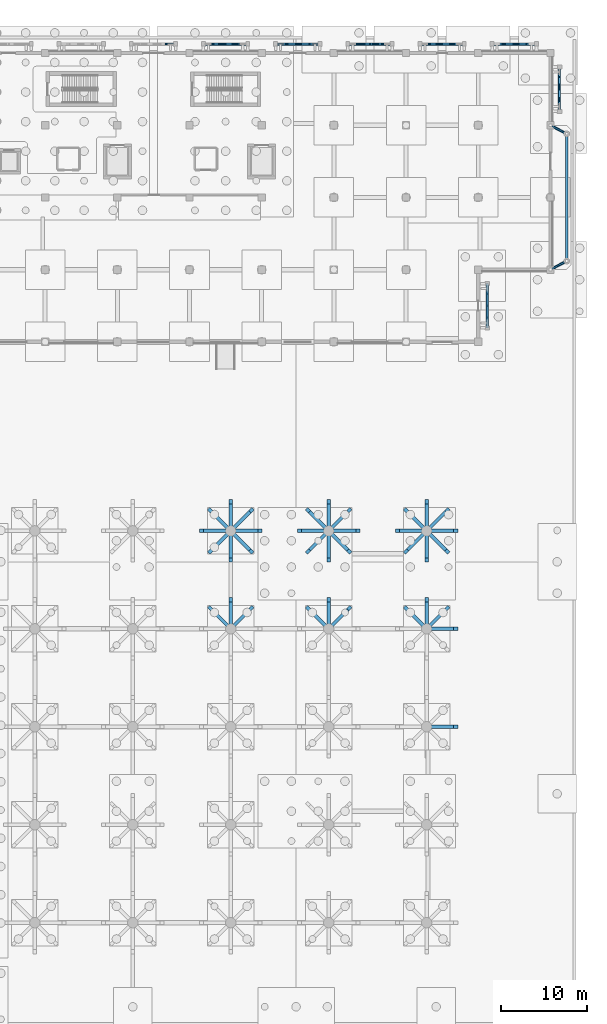
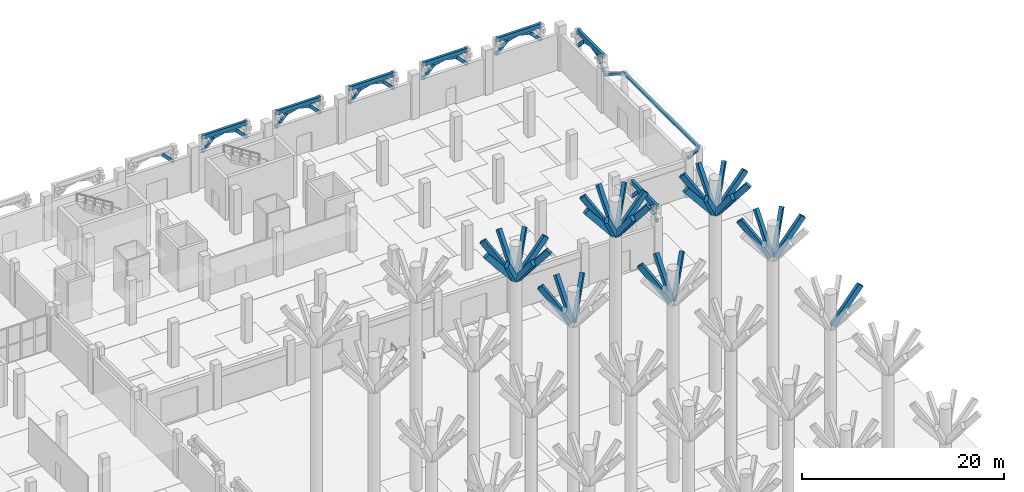
# One storey, part 46 of 98: 66 members, 10 beams.
"""IFC4 building model written with IfcOpenShell, lengths in metres."""

from ifc_helpers import new_model, si_unit, direction, frame, origin, origin_2d, place, context, subcontext, project, spatial, rectangle, hollow_rectangle, i_section, extrude, material, material_profile, profile_set, type_object, element, save


model = new_model("IFC4")

# Units and contexts
model_context = context("Model", 3, precision=1e-05, world=origin(), true_north=direction((0.0, 1.0)))
body_context = subcontext(model_context, "Body", "Model", "MODEL_VIEW")
ifc_project = project(units=[si_unit("LENGTHUNIT", "METRE"), si_unit("AREAUNIT", "SQUARE_METRE"), si_unit("VOLUMEUNIT", "CUBIC_METRE"), si_unit("PLANEANGLEUNIT", "RADIAN"), si_unit("MASSUNIT", "GRAM", prefix="KILO")], contexts=[model_context])

# Site, building, storey
site_placement = place(None, origin())
site = spatial("IfcSite", under=ifc_project, at=site_placement, CompositionType="ELEMENT")
building_placement = place(site_placement, origin())
building = spatial("IfcBuilding", under=site, at=building_placement, Name="Xazarin Passage Department Store", CompositionType="ELEMENT")
storey_placement = place(building_placement, origin())
storey = spatial("IfcBuildingStorey", under=building, at=storey_placement, Name="L00", CompositionType="ELEMENT", Elevation=0.0)

# Beams
ifc_material_1 = material(Name="Steel S355", Category="steel")
ifc_material_profile_1 = material_profile(ifc_material_1, i_section(OverallWidth=0.300048828125, OverallDepth=0.31005859375, WebThickness=0.009033203125, FlangeThickness=0.015380859375, FilletRadius=0.027099609375, at=origin_2d()), Name="HEA 320")
ifc_profile_set_1 = profile_set([ifc_material_profile_1], Name="Steel S355")
beam_type_1 = type_object("IfcBeamType", Name="STR-BM-CAN320", PredefinedType="BEAM", material=ifc_profile_set_1)
for number, where, z_axis, x_axis, name in (
    (1, (169.60009765625, 84.800048828125, 4.39501953125), (0.884908355615, 0.465765179208, 0.0), (-0.465765179208, 0.884908355615, 0.0), "Entrance Canopy Frame Beam CN3-1"),
    (2, (169.60009765625, 101.60009765625, 4.39501953125), (0.884908355615, -0.465765179208, 0.0), (0.465765179208, 0.884908355615, 0.0), "Entrance Canopy Frame Beam CN3-2"),
):
    element("IfcBeam", number, at=place(storey_placement, frame(where, z_axis=z_axis, x_axis=x_axis)), inside=storey, type_object=beam_type_1, Name=name, PredefinedType="BEAM", context=body_context, shape_type="SweptSolid", body=[
        extrude(i_section(OverallWidth=0.300048828125, OverallDepth=0.31005859375, WebThickness=0.009033203125, FlangeThickness=0.015380859375, FilletRadius=0.027099609375, at=origin_2d()), origin(), (0.0, 0.0, 1.0), 2.14697265625),
    ])
beam_1_placement = place(storey_placement, frame((171.5, 85.800048828125, 4.39501953125), z_axis=(0.0, 1.0, 0.0), x_axis=(-1.0, 0.0, 0.0)))
element("IfcBeam", 3, at=beam_1_placement, inside=storey, type_object=beam_type_1, Name="Entrance Canopy Frame Beam CN3-3", PredefinedType="BEAM", context=body_context, shape_type="SweptSolid", body=[
    extrude(i_section(OverallWidth=0.300048828125, OverallDepth=0.31005859375, WebThickness=0.009033203125, FlangeThickness=0.015380859375, FilletRadius=0.027099609375, at=origin_2d()), origin(), (0.0, 0.0, 1.0), 14.800048828125),
])
ifc_material_2 = material(Name="Concrete C35/45", Category="concrete")
ifc_material_profile_2 = material_profile(ifc_material_2, rectangle(XDim=0.300048828125, YDim=0.5, at=origin_2d()), Name="RC 300x500")
ifc_profile_set_2 = profile_set([ifc_material_profile_2], Name="Concrete C35/45")
beam_type_2 = type_object("IfcBeamType", Name="STR-BM-LN300x500", PredefinedType="LINTEL", material=ifc_profile_set_2)
for number, where, z_axis, x_axis, name in (
    (4, (129.219970703125, 111.050048828125, 5.14990234375), (1.0, 0.0, 0.0), (0.0, 1.0, 0.0), "L00 V4 Colonnade Spandrel Beam 043"),
    (5, (137.6201171875, 111.050048828125, 5.14990234375), (1.0, 0.0, 0.0), (0.0, 1.0, 0.0), "L00 V4 Colonnade Spandrel Beam 044"),
    (6, (146.02001953125, 111.050048828125, 5.14990234375), (1.0, 0.0, 0.0), (0.0, 1.0, 0.0), "L00 V4 Colonnade Spandrel Beam 045"),
):
    element("IfcBeam", number, at=place(storey_placement, frame(where, z_axis=z_axis, x_axis=x_axis)), inside=storey, type_object=beam_type_2, Name=name, PredefinedType="LINTEL", context=body_context, shape_type="SweptSolid", body=[
        extrude(rectangle(XDim=0.300048828125, YDim=0.5, at=origin_2d()), origin(), (0.0, 0.0, 1.0), 5.159912109375),
    ])
beam_2_placement = place(storey_placement, frame((154.419921875, 111.050048828125, 5.14990234375), z_axis=(1.0, 0.0, 0.0), x_axis=(0.0, 1.0, 0.0)))
element("IfcBeam", 7, at=beam_2_placement, inside=storey, type_object=beam_type_2, Name="L00 V4 Colonnade Spandrel Beam 046", PredefinedType="LINTEL", context=body_context, shape_type="SweptSolid", body=[
    extrude(rectangle(XDim=0.300048828125, YDim=0.5, at=origin_2d()), origin(), (0.0, 0.0, 1.0), 5.16015625),
])
for number, where, z_axis, x_axis, name in (
    (8, (162.820068359375, 111.050048828125, 5.14990234375), (1.0, 0.0, 0.0), (0.0, 1.0, 0.0), "L00 V4 Colonnade Spandrel Beam 047"),
    (9, (162.25, 78.02001953125, 5.14990234375), (0.0, 1.0, 0.0), (-1.0, 0.0, 0.0), "L00 V4 Colonnade Spandrel Beam 048"),
    (10, (170.64990234375, 103.219970703125, 5.14990234375), (0.0, 1.0, 0.0), (-1.0, 0.0, 0.0), "L00 V4 Colonnade Spandrel Beam 049"),
):
    element("IfcBeam", number, at=place(storey_placement, frame(where, z_axis=z_axis, x_axis=x_axis)), inside=storey, type_object=beam_type_2, Name=name, PredefinedType="LINTEL", context=body_context, shape_type="SweptSolid", body=[
        extrude(rectangle(XDim=0.300048828125, YDim=0.5, at=origin_2d()), origin(), (0.0, 0.0, 1.0), 5.159912109375),
    ])

# Members
ifc_material_3 = material(Name="Concrete C40/50", Category="concrete")
ifc_material_profile_3 = material_profile(ifc_material_3, rectangle(XDim=0.199951171875, YDim=0.360107421875, at=origin_2d()), Name="RC 200x360")
ifc_profile_set_3 = profile_set([ifc_material_profile_3], Name="Concrete C40/50")
member_type_1 = type_object("IfcMemberType", Name="STR-MEM-ARC360", PredefinedType="CHORD", material=ifc_profile_set_3)
for number, where, z_axis, x_axis, name in (
    (11, (124.68994140625, 111.050048828125, 4.67041015625), (0.693460080602, 0.0, -0.720495049679), (0.0, 1.0, 0.0), "L00 V4 Pierced Lattice Curved Arch 042.4"),
    (12, (129.219970703125, 111.050048828125, 3.330078125), (0.693460080602, 0.0, 0.720495049679), (0.0, 1.0, 0.0), "L00 V4 Pierced Lattice Curved Arch 043.1"),
):
    element("IfcMember", number, at=place(storey_placement, frame(where, z_axis=z_axis, x_axis=x_axis)), inside=storey, type_object=member_type_1, Name=name, PredefinedType="CHORD", context=body_context, shape_type="SweptSolid", body=[
        extrude(rectangle(XDim=0.199951171875, YDim=0.360107421875, at=origin_2d()), origin(), (0.0, 0.0, 1.0), 1.8603515625),
    ])
for number, where, z_axis, x_axis, name in (
    (13, (130.510009765625, 111.050048828125, 4.67041015625), (0.972393983317, 0.0, 0.233345111818), (0.0, 1.0, 0.0), "L00 V4 Pierced Lattice Curved Arch 043.2"),
    (14, (131.800048828125, 111.050048828125, 4.97998046875), (0.972393983317, 0.0, -0.233345111818), (0.0, 1.0, 0.0), "L00 V4 Pierced Lattice Curved Arch 043.3"),
):
    element("IfcMember", number, at=place(storey_placement, frame(where, z_axis=z_axis, x_axis=x_axis)), inside=storey, type_object=member_type_1, Name=name, PredefinedType="CHORD", context=body_context, shape_type="SweptSolid", body=[
        extrude(rectangle(XDim=0.199951171875, YDim=0.360107421875, at=origin_2d()), origin(), (0.0, 0.0, 1.0), 1.32666015625),
    ])
for number, where, z_axis, x_axis, name in (
    (15, (133.090087890625, 111.050048828125, 4.67041015625), (0.693391944082, 0.0, -0.720560623322), (0.0, 1.0, 0.0), "L00 V4 Pierced Lattice Curved Arch 043.4"),
    (16, (137.6201171875, 111.050048828125, 3.330078125), (0.693391944082, 0.0, 0.720560623322), (0.0, 1.0, 0.0), "L00 V4 Pierced Lattice Curved Arch 044.1"),
):
    element("IfcMember", number, at=place(storey_placement, frame(where, z_axis=z_axis, x_axis=x_axis)), inside=storey, type_object=member_type_1, Name=name, PredefinedType="CHORD", context=body_context, shape_type="SweptSolid", body=[
        extrude(rectangle(XDim=0.199951171875, YDim=0.360107421875, at=origin_2d()), origin(), (0.0, 0.0, 1.0), 1.860107421875),
    ])
for number, where, z_axis, x_axis, name in (
    (17, (138.909912109375, 111.050048828125, 4.67041015625), (0.972393983317, 0.0, 0.233345111818), (0.0, 1.0, 0.0), "L00 V4 Pierced Lattice Curved Arch 044.2"),
    (18, (140.199951171875, 111.050048828125, 4.97998046875), (0.972393983317, 0.0, -0.233345111818), (0.0, 1.0, 0.0), "L00 V4 Pierced Lattice Curved Arch 044.3"),
):
    element("IfcMember", number, at=place(storey_placement, frame(where, z_axis=z_axis, x_axis=x_axis)), inside=storey, type_object=member_type_1, Name=name, PredefinedType="CHORD", context=body_context, shape_type="SweptSolid", body=[
        extrude(rectangle(XDim=0.199951171875, YDim=0.360107421875, at=origin_2d()), origin(), (0.0, 0.0, 1.0), 1.32666015625),
    ])
for number, where, z_axis, x_axis, name in (
    (19, (141.489990234375, 111.050048828125, 4.67041015625), (0.693460080602, 0.0, -0.720495049679), (0.0, 1.0, 0.0), "L00 V4 Pierced Lattice Curved Arch 044.4"),
    (20, (146.02001953125, 111.050048828125, 3.330078125), (0.693460080602, 0.0, 0.720495049679), (0.0, 1.0, 0.0), "L00 V4 Pierced Lattice Curved Arch 045.1"),
):
    element("IfcMember", number, at=place(storey_placement, frame(where, z_axis=z_axis, x_axis=x_axis)), inside=storey, type_object=member_type_1, Name=name, PredefinedType="CHORD", context=body_context, shape_type="SweptSolid", body=[
        extrude(rectangle(XDim=0.199951171875, YDim=0.360107421875, at=origin_2d()), origin(), (0.0, 0.0, 1.0), 1.8603515625),
    ])
member_1_placement = place(storey_placement, frame((147.31005859375, 111.050048828125, 4.67041015625), z_axis=(0.972393983317, 0.0, 0.233345111818), x_axis=(0.0, 1.0, 0.0)))
element("IfcMember", 21, at=member_1_placement, inside=storey, type_object=member_type_1, Name="L00 V4 Pierced Lattice Curved Arch 045.2", PredefinedType="CHORD", context=body_context, shape_type="SweptSolid", body=[
    extrude(rectangle(XDim=0.199951171875, YDim=0.360107421875, at=origin_2d()), origin(), (0.0, 0.0, 1.0), 1.32666015625),
])
member_2_placement = place(storey_placement, frame((148.60009765625, 111.050048828125, 4.97998046875), z_axis=(0.972383960415, 0.0, -0.233386875224), x_axis=(0.0, 1.0, 0.0)))
element("IfcMember", 22, at=member_2_placement, inside=storey, type_object=member_type_1, Name="L00 V4 Pierced Lattice Curved Arch 045.3", PredefinedType="CHORD", context=body_context, shape_type="SweptSolid", body=[
    extrude(rectangle(XDim=0.199951171875, YDim=0.360107421875, at=origin_2d()), origin(), (0.0, 0.0, 1.0), 1.326416015625),
])
for number, where, z_axis, x_axis, name in (
    (23, (149.889892578125, 111.050048828125, 4.67041015625), (0.693460080602, 0.0, -0.720495049679), (0.0, 1.0, 0.0), "L00 V4 Pierced Lattice Curved Arch 045.4"),
    (24, (154.419921875, 111.050048828125, 3.330078125), (0.693460080602, 0.0, 0.720495049679), (0.0, 1.0, 0.0), "L00 V4 Pierced Lattice Curved Arch 046.1"),
):
    element("IfcMember", number, at=place(storey_placement, frame(where, z_axis=z_axis, x_axis=x_axis)), inside=storey, type_object=member_type_1, Name=name, PredefinedType="CHORD", context=body_context, shape_type="SweptSolid", body=[
        extrude(rectangle(XDim=0.199951171875, YDim=0.360107421875, at=origin_2d()), origin(), (0.0, 0.0, 1.0), 1.8603515625),
    ])
for number, where, z_axis, x_axis, name in (
    (25, (155.7099609375, 111.050048828125, 4.67041015625), (0.972393983317, 0.0, 0.233345111818), (0.0, 1.0, 0.0), "L00 V4 Pierced Lattice Curved Arch 046.2"),
    (26, (157.0, 111.050048828125, 4.97998046875), (0.972393983317, 0.0, -0.233345111818), (0.0, 1.0, 0.0), "L00 V4 Pierced Lattice Curved Arch 046.3"),
):
    element("IfcMember", number, at=place(storey_placement, frame(where, z_axis=z_axis, x_axis=x_axis)), inside=storey, type_object=member_type_1, Name=name, PredefinedType="CHORD", context=body_context, shape_type="SweptSolid", body=[
        extrude(rectangle(XDim=0.199951171875, YDim=0.360107421875, at=origin_2d()), origin(), (0.0, 0.0, 1.0), 1.32666015625),
    ])
for number, where, z_axis, x_axis, name in (
    (27, (158.2900390625, 111.050048828125, 4.67041015625), (0.693460080602, 0.0, -0.720495049679), (0.0, 1.0, 0.0), "L00 V4 Pierced Lattice Curved Arch 046.4"),
    (28, (162.820068359375, 111.050048828125, 3.330078125), (0.693460080602, 0.0, 0.720495049679), (0.0, 1.0, 0.0), "L00 V4 Pierced Lattice Curved Arch 047.1"),
):
    element("IfcMember", number, at=place(storey_placement, frame(where, z_axis=z_axis, x_axis=x_axis)), inside=storey, type_object=member_type_1, Name=name, PredefinedType="CHORD", context=body_context, shape_type="SweptSolid", body=[
        extrude(rectangle(XDim=0.199951171875, YDim=0.360107421875, at=origin_2d()), origin(), (0.0, 0.0, 1.0), 1.8603515625),
    ])
member_3_placement = place(storey_placement, frame((164.110107421875, 111.050048828125, 4.67041015625), z_axis=(0.972383960415, 0.0, 0.233386875224), x_axis=(0.0, 1.0, 0.0)))
element("IfcMember", 29, at=member_3_placement, inside=storey, type_object=member_type_1, Name="L00 V4 Pierced Lattice Curved Arch 047.2", PredefinedType="CHORD", context=body_context, shape_type="SweptSolid", body=[
    extrude(rectangle(XDim=0.199951171875, YDim=0.360107421875, at=origin_2d()), origin(), (0.0, 0.0, 1.0), 1.326416015625),
])
member_4_placement = place(storey_placement, frame((165.39990234375, 111.050048828125, 4.97998046875), z_axis=(0.972393983317, 0.0, -0.233345111818), x_axis=(0.0, 1.0, 0.0)))
element("IfcMember", 30, at=member_4_placement, inside=storey, type_object=member_type_1, Name="L00 V4 Pierced Lattice Curved Arch 047.3", PredefinedType="CHORD", context=body_context, shape_type="SweptSolid", body=[
    extrude(rectangle(XDim=0.199951171875, YDim=0.360107421875, at=origin_2d()), origin(), (0.0, 0.0, 1.0), 1.32666015625),
])
for number, where, z_axis, x_axis, name in (
    (31, (166.68994140625, 111.050048828125, 4.67041015625), (0.693460080602, 0.0, -0.720495049679), (0.0, 1.0, 0.0), "L00 V4 Pierced Lattice Curved Arch 047.4"),
    (32, (162.25, 78.02001953125, 3.330078125), (0.0, 0.693460080602, 0.720495049679), (-1.0, 0.0, 0.0), "L00 V4 Pierced Lattice Curved Arch 048.1"),
):
    element("IfcMember", number, at=place(storey_placement, frame(where, z_axis=z_axis, x_axis=x_axis)), inside=storey, type_object=member_type_1, Name=name, PredefinedType="CHORD", context=body_context, shape_type="SweptSolid", body=[
        extrude(rectangle(XDim=0.199951171875, YDim=0.360107421875, at=origin_2d()), origin(), (0.0, 0.0, 1.0), 1.8603515625),
    ])
member_5_placement = place(storey_placement, frame((162.25, 79.31005859375, 4.67041015625), z_axis=(0.0, 0.972393983317, 0.233345111818), x_axis=(-1.0, 0.0, 0.0)))
element("IfcMember", 33, at=member_5_placement, inside=storey, type_object=member_type_1, Name="L00 V4 Pierced Lattice Curved Arch 048.2", PredefinedType="CHORD", context=body_context, shape_type="SweptSolid", body=[
    extrude(rectangle(XDim=0.199951171875, YDim=0.360107421875, at=origin_2d()), origin(), (0.0, 0.0, 1.0), 1.32666015625),
])
member_6_placement = place(storey_placement, frame((162.25, 80.60009765625, 4.97998046875), z_axis=(0.0, 0.972383960415, -0.233386875224), x_axis=(-1.0, 0.0, 0.0)))
element("IfcMember", 34, at=member_6_placement, inside=storey, type_object=member_type_1, Name="L00 V4 Pierced Lattice Curved Arch 048.3", PredefinedType="CHORD", context=body_context, shape_type="SweptSolid", body=[
    extrude(rectangle(XDim=0.199951171875, YDim=0.360107421875, at=origin_2d()), origin(), (0.0, 0.0, 1.0), 1.326416015625),
])
for number, where, z_axis, x_axis, name in (
    (35, (162.25, 81.889892578125, 4.67041015625), (0.0, 0.693460080602, -0.720495049679), (-1.0, 0.0, 0.0), "L00 V4 Pierced Lattice Curved Arch 048.4"),
    (36, (170.64990234375, 103.219970703125, 3.330078125), (0.0, 0.693460080602, 0.720495049679), (-1.0, 0.0, 0.0), "L00 V4 Pierced Lattice Curved Arch 049.1"),
):
    element("IfcMember", number, at=place(storey_placement, frame(where, z_axis=z_axis, x_axis=x_axis)), inside=storey, type_object=member_type_1, Name=name, PredefinedType="CHORD", context=body_context, shape_type="SweptSolid", body=[
        extrude(rectangle(XDim=0.199951171875, YDim=0.360107421875, at=origin_2d()), origin(), (0.0, 0.0, 1.0), 1.8603515625),
    ])
for number, where, z_axis, x_axis, name in (
    (37, (170.64990234375, 104.510009765625, 4.67041015625), (0.0, 0.972393983317, 0.233345111818), (-1.0, 0.0, 0.0), "L00 V4 Pierced Lattice Curved Arch 049.2"),
    (38, (170.64990234375, 105.800048828125, 4.97998046875), (0.0, 0.972393983317, -0.233345111818), (-1.0, 0.0, 0.0), "L00 V4 Pierced Lattice Curved Arch 049.3"),
):
    element("IfcMember", number, at=place(storey_placement, frame(where, z_axis=z_axis, x_axis=x_axis)), inside=storey, type_object=member_type_1, Name=name, PredefinedType="CHORD", context=body_context, shape_type="SweptSolid", body=[
        extrude(rectangle(XDim=0.199951171875, YDim=0.360107421875, at=origin_2d()), origin(), (0.0, 0.0, 1.0), 1.32666015625),
    ])
member_7_placement = place(storey_placement, frame((170.64990234375, 107.090087890625, 4.67041015625), z_axis=(0.0, 0.693391944082, -0.720560623322), x_axis=(-1.0, 0.0, 0.0)))
element("IfcMember", 39, at=member_7_placement, inside=storey, type_object=member_type_1, Name="L00 V4 Pierced Lattice Curved Arch 049.4", PredefinedType="CHORD", context=body_context, shape_type="SweptSolid", body=[
    extrude(rectangle(XDim=0.199951171875, YDim=0.360107421875, at=origin_2d()), origin(), (0.0, 0.0, 1.0), 1.860107421875),
])
ifc_material_profile_4 = material_profile(ifc_material_1, hollow_rectangle(XDim=0.14990234375, YDim=0.25, WallThickness=0.010009765625, at=origin_2d()), Name="RHS 250x150x10")
ifc_profile_set_4 = profile_set([ifc_material_profile_4], Name="Steel S355")
member_type_2 = type_object("IfcMemberType", Name="STR-MEM-CH250", PredefinedType="CHORD", material=ifc_profile_set_4)
for number, where, z_axis, x_axis, name in (
    (40, (169.60009765625, 84.800048828125, 4.389892578125), (0.884908355615, 0.465765179208, 0.0), (-0.465765179208, 0.884908355615, 0.0), "Entrance Canopy Outrigger Chord CN3-1"),
    (41, (169.60009765625, 101.60009765625, 4.389892578125), (0.884908355615, -0.465765179208, 0.0), (0.465765179208, 0.884908355615, 0.0), "Entrance Canopy Outrigger Chord CN3-2"),
):
    element("IfcMember", number, at=place(storey_placement, frame(where, z_axis=z_axis, x_axis=x_axis)), inside=storey, type_object=member_type_2, Name=name, PredefinedType="CHORD", context=body_context, shape_type="SweptSolid", body=[
        extrude(hollow_rectangle(XDim=0.14990234375, YDim=0.25, WallThickness=0.010009765625, at=origin_2d()), origin(), (0.0, 0.0, 1.0), 2.14697265625),
    ])
ifc_material_profile_5 = material_profile(ifc_material_3, rectangle(XDim=0.39990234375, YDim=0.64990234375, at=origin_2d()), Name="RC 400x650")
ifc_profile_set_5 = profile_set([ifc_material_profile_5], Name="Concrete C40/50")
member_type_3 = type_object("IfcMemberType", Name="STR-MEM-UMB400", PredefinedType="BRACE", material=ifc_profile_set_5)
member_8_placement = place(storey_placement, frame((155.419921875, 31.60009765625, 21.3798828125), z_axis=(0.63439870386, 0.0, 0.773006005501), x_axis=(0.0, 1.0, 0.0)))
element("IfcMember", 42, at=member_8_placement, inside=storey, type_object=member_type_3, Name="Umbrella UM19 Flared Sculptural Capital Strut E", PredefinedType="BRACE", context=body_context, shape_type="SweptSolid", body=[
    extrude(rectangle(XDim=0.39990234375, YDim=0.64990234375, at=origin_2d()), origin(), (0.0, 0.0, 1.0), 5.012939453125),
])
member_9_placement = place(storey_placement, frame((132.39990234375, 43.219970703125, 22.780029296875), z_axis=(0.0, 0.634369600905, 0.773029889103), x_axis=(-1.0, 0.0, 0.0)))
element("IfcMember", 43, at=member_9_placement, inside=storey, type_object=member_type_3, Name="Umbrella UM22 Flared Sculptural Capital Strut N", PredefinedType="BRACE", context=body_context, shape_type="SweptSolid", body=[
    extrude(rectangle(XDim=0.39990234375, YDim=0.64990234375, at=origin_2d()), origin(), (0.0, 0.0, 1.0), 5.0126953125),
])
for number, where, z_axis, x_axis, name in (
    (44, (132.5556640625, 43.155517578125, 22.780029296875), (0.448555330777, 0.448604033853, 0.77301522368), (-0.707145166051, 0.707068394238, 0.0), "Umbrella UM22 Flared Sculptural Capital Strut NE"),
    (45, (132.244384765625, 43.155517578125, 22.780029296875), (-0.448555330777, 0.448604033853, 0.77301522368), (-0.707145166051, -0.707068394238, 0.0), "Umbrella UM22 Flared Sculptural Capital Strut NW"),
):
    element("IfcMember", number, at=place(storey_placement, frame(where, z_axis=z_axis, x_axis=x_axis)), inside=storey, type_object=member_type_3, Name=name, PredefinedType="BRACE", context=body_context, shape_type="SweptSolid", body=[
        extrude(rectangle(XDim=0.39990234375, YDim=0.64990234375, at=origin_2d()), origin(), (0.0, 0.0, 1.0), 5.012939453125),
    ])
member_10_placement = place(storey_placement, frame((143.800048828125, 43.219970703125, 21.3798828125), z_axis=(0.0, 0.634369600905, 0.773029889103), x_axis=(-1.0, 0.0, 0.0)))
element("IfcMember", 46, at=member_10_placement, inside=storey, type_object=member_type_3, Name="Umbrella UM23 Flared Sculptural Capital Strut N", PredefinedType="BRACE", context=body_context, shape_type="SweptSolid", body=[
    extrude(rectangle(XDim=0.39990234375, YDim=0.64990234375, at=origin_2d()), origin(), (0.0, 0.0, 1.0), 5.0126953125),
])
for number, where, z_axis, x_axis, name in (
    (47, (143.95556640625, 43.155517578125, 21.3798828125), (0.448555330777, 0.448604033853, 0.77301522368), (-0.707145166051, 0.707068394238, 0.0), "Umbrella UM23 Flared Sculptural Capital Strut NE"),
    (48, (143.644287109375, 43.155517578125, 21.3798828125), (-0.448555330777, 0.448604033853, 0.77301522368), (-0.707145166051, -0.707068394238, 0.0), "Umbrella UM23 Flared Sculptural Capital Strut NW"),
    (49, (155.419921875, 43.0, 22.780029296875), (0.63439870386, 0.0, 0.773006005501), (0.0, 1.0, 0.0), "Umbrella UM24 Flared Sculptural Capital Strut E"),
):
    element("IfcMember", number, at=place(storey_placement, frame(where, z_axis=z_axis, x_axis=x_axis)), inside=storey, type_object=member_type_3, Name=name, PredefinedType="BRACE", context=body_context, shape_type="SweptSolid", body=[
        extrude(rectangle(XDim=0.39990234375, YDim=0.64990234375, at=origin_2d()), origin(), (0.0, 0.0, 1.0), 5.012939453125),
    ])
member_11_placement = place(storey_placement, frame((155.199951171875, 43.219970703125, 22.780029296875), z_axis=(0.0, 0.634369600905, 0.773029889103), x_axis=(-1.0, 0.0, 0.0)))
element("IfcMember", 50, at=member_11_placement, inside=storey, type_object=member_type_3, Name="Umbrella UM24 Flared Sculptural Capital Strut N", PredefinedType="BRACE", context=body_context, shape_type="SweptSolid", body=[
    extrude(rectangle(XDim=0.39990234375, YDim=0.64990234375, at=origin_2d()), origin(), (0.0, 0.0, 1.0), 5.0126953125),
])
for number, where, z_axis, x_axis, name in (
    (51, (155.355712890625, 43.155517578125, 22.780029296875), (0.448555330777, 0.448604033853, 0.77301522368), (-0.707145166051, 0.707068394238, 0.0), "Umbrella UM24 Flared Sculptural Capital Strut NE"),
    (52, (155.04443359375, 43.155517578125, 22.780029296875), (-0.448555330777, 0.448604033853, 0.77301522368), (-0.707145166051, -0.707068394238, 0.0), "Umbrella UM24 Flared Sculptural Capital Strut NW"),
):
    element("IfcMember", number, at=place(storey_placement, frame(where, z_axis=z_axis, x_axis=x_axis)), inside=storey, type_object=member_type_3, Name=name, PredefinedType="BRACE", context=body_context, shape_type="SweptSolid", body=[
        extrude(rectangle(XDim=0.39990234375, YDim=0.64990234375, at=origin_2d()), origin(), (0.0, 0.0, 1.0), 5.012939453125),
    ])
for number, where, z_axis, x_axis, name in (
    (53, (132.6201171875, 54.39990234375, 21.3798828125), (0.634369600905, 0.0, 0.773029889103), (0.0, 1.0, 0.0), "Umbrella UM27 Flared Sculptural Capital Strut E"),
    (54, (132.179931640625, 54.39990234375, 21.3798828125), (-0.634369600905, 0.0, 0.773029889103), (0.0, -1.0, 0.0), "Umbrella UM27 Flared Sculptural Capital Strut W"),
    (55, (132.39990234375, 54.6201171875, 21.3798828125), (0.0, 0.634369600905, 0.773029889103), (-1.0, 0.0, 0.0), "Umbrella UM27 Flared Sculptural Capital Strut N"),
    (56, (132.39990234375, 54.179931640625, 21.3798828125), (0.0, -0.634369600905, 0.773029889103), (1.0, 0.0, 0.0), "Umbrella UM27 Flared Sculptural Capital Strut S"),
    (57, (132.5556640625, 54.5556640625, 21.3798828125), (0.448565130781, 0.448565130781, 0.77303211246), (-0.707106781187, 0.707106781187, 0.0), "Umbrella UM27 Flared Sculptural Capital Strut NE"),
    (58, (132.244384765625, 54.5556640625, 21.3798828125), (-0.448565130781, 0.448565130781, 0.77303211246), (-0.707106781187, -0.707106781187, 0.0), "Umbrella UM27 Flared Sculptural Capital Strut NW"),
    (59, (132.5556640625, 54.244384765625, 21.3798828125), (0.448565130781, -0.448565130781, 0.77303211246), (0.707106781187, 0.707106781187, 0.0), "Umbrella UM27 Flared Sculptural Capital Strut SE"),
    (60, (132.244384765625, 54.244384765625, 21.3798828125), (-0.448565130781, -0.448565130781, 0.77303211246), (0.707106781187, -0.707106781187, 0.0), "Umbrella UM27 Flared Sculptural Capital Strut SW"),
    (61, (144.02001953125, 54.39990234375, 22.780029296875), (0.634369600905, 0.0, 0.773029889103), (0.0, 1.0, 0.0), "Umbrella UM28 Flared Sculptural Capital Strut E"),
):
    element("IfcMember", number, at=place(storey_placement, frame(where, z_axis=z_axis, x_axis=x_axis)), inside=storey, type_object=member_type_3, Name=name, PredefinedType="BRACE", context=body_context, shape_type="SweptSolid", body=[
        extrude(rectangle(XDim=0.39990234375, YDim=0.64990234375, at=origin_2d()), origin(), (0.0, 0.0, 1.0), 5.0126953125),
    ])
member_12_placement = place(storey_placement, frame((143.580078125, 54.39990234375, 22.780029296875), z_axis=(-0.63439870386, 0.0, 0.773006005501), x_axis=(0.0, -1.0, 0.0)))
element("IfcMember", 62, at=member_12_placement, inside=storey, type_object=member_type_3, Name="Umbrella UM28 Flared Sculptural Capital Strut W", PredefinedType="BRACE", context=body_context, shape_type="SweptSolid", body=[
    extrude(rectangle(XDim=0.39990234375, YDim=0.64990234375, at=origin_2d()), origin(), (0.0, 0.0, 1.0), 5.012939453125),
])
for number, where, z_axis, x_axis, name in (
    (63, (143.800048828125, 54.6201171875, 22.780029296875), (0.0, 0.634369600905, 0.773029889103), (-1.0, 0.0, 0.0), "Umbrella UM28 Flared Sculptural Capital Strut N"),
    (64, (143.800048828125, 54.179931640625, 22.780029296875), (0.0, -0.634369600905, 0.773029889103), (1.0, 0.0, 0.0), "Umbrella UM28 Flared Sculptural Capital Strut S"),
    (65, (143.95556640625, 54.5556640625, 22.780029296875), (0.448565130781, 0.448565130781, 0.77303211246), (-0.707106781187, 0.707106781187, 0.0), "Umbrella UM28 Flared Sculptural Capital Strut NE"),
    (66, (143.644287109375, 54.5556640625, 22.780029296875), (-0.448565130781, 0.448565130781, 0.77303211246), (-0.707106781187, -0.707106781187, 0.0), "Umbrella UM28 Flared Sculptural Capital Strut NW"),
    (67, (143.95556640625, 54.244384765625, 22.780029296875), (0.448565130781, -0.448565130781, 0.77303211246), (0.707106781187, 0.707106781187, 0.0), "Umbrella UM28 Flared Sculptural Capital Strut SE"),
    (68, (143.644287109375, 54.244384765625, 22.780029296875), (-0.448565130781, -0.448565130781, 0.77303211246), (0.707106781187, -0.707106781187, 0.0), "Umbrella UM28 Flared Sculptural Capital Strut SW"),
):
    element("IfcMember", number, at=place(storey_placement, frame(where, z_axis=z_axis, x_axis=x_axis)), inside=storey, type_object=member_type_3, Name=name, PredefinedType="BRACE", context=body_context, shape_type="SweptSolid", body=[
        extrude(rectangle(XDim=0.39990234375, YDim=0.64990234375, at=origin_2d()), origin(), (0.0, 0.0, 1.0), 5.0126953125),
    ])
member_13_placement = place(storey_placement, frame((155.419921875, 54.39990234375, 21.3798828125), z_axis=(0.63439870386, 0.0, 0.773006005501), x_axis=(0.0, 1.0, 0.0)))
element("IfcMember", 69, at=member_13_placement, inside=storey, type_object=member_type_3, Name="Umbrella UM29 Flared Sculptural Capital Strut E", PredefinedType="BRACE", context=body_context, shape_type="SweptSolid", body=[
    extrude(rectangle(XDim=0.39990234375, YDim=0.64990234375, at=origin_2d()), origin(), (0.0, 0.0, 1.0), 5.012939453125),
])
for number, where, z_axis, x_axis, name in (
    (70, (154.97998046875, 54.39990234375, 21.3798828125), (-0.634369600905, 0.0, 0.773029889103), (0.0, -1.0, 0.0), "Umbrella UM29 Flared Sculptural Capital Strut W"),
    (71, (155.199951171875, 54.6201171875, 21.3798828125), (0.0, 0.634369600905, 0.773029889103), (-1.0, 0.0, 0.0), "Umbrella UM29 Flared Sculptural Capital Strut N"),
    (72, (155.199951171875, 54.179931640625, 21.3798828125), (0.0, -0.634369600905, 0.773029889103), (1.0, 0.0, 0.0), "Umbrella UM29 Flared Sculptural Capital Strut S"),
    (73, (155.355712890625, 54.5556640625, 21.3798828125), (0.448565130781, 0.448565130781, 0.77303211246), (-0.707106781187, 0.707106781187, 0.0), "Umbrella UM29 Flared Sculptural Capital Strut NE"),
    (74, (155.04443359375, 54.5556640625, 21.3798828125), (-0.448565130781, 0.448565130781, 0.77303211246), (-0.707106781187, -0.707106781187, 0.0), "Umbrella UM29 Flared Sculptural Capital Strut NW"),
    (75, (155.355712890625, 54.244384765625, 21.3798828125), (0.448565130781, -0.448565130781, 0.77303211246), (0.707106781187, 0.707106781187, 0.0), "Umbrella UM29 Flared Sculptural Capital Strut SE"),
    (76, (155.04443359375, 54.244384765625, 21.3798828125), (-0.448565130781, -0.448565130781, 0.77303211246), (0.707106781187, -0.707106781187, 0.0), "Umbrella UM29 Flared Sculptural Capital Strut SW"),
):
    element("IfcMember", number, at=place(storey_placement, frame(where, z_axis=z_axis, x_axis=x_axis)), inside=storey, type_object=member_type_3, Name=name, PredefinedType="BRACE", context=body_context, shape_type="SweptSolid", body=[
        extrude(rectangle(XDim=0.39990234375, YDim=0.64990234375, at=origin_2d()), origin(), (0.0, 0.0, 1.0), 5.0126953125),
    ])

save(model, "model.ifc")
